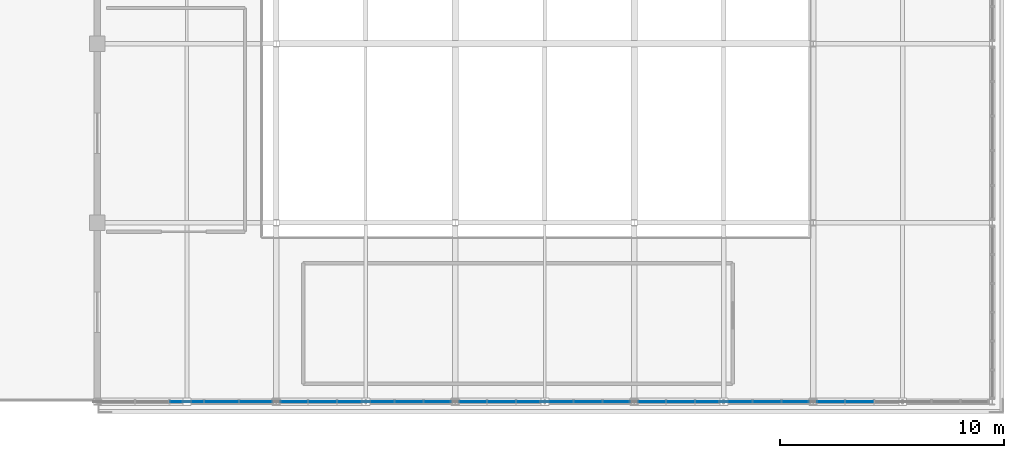
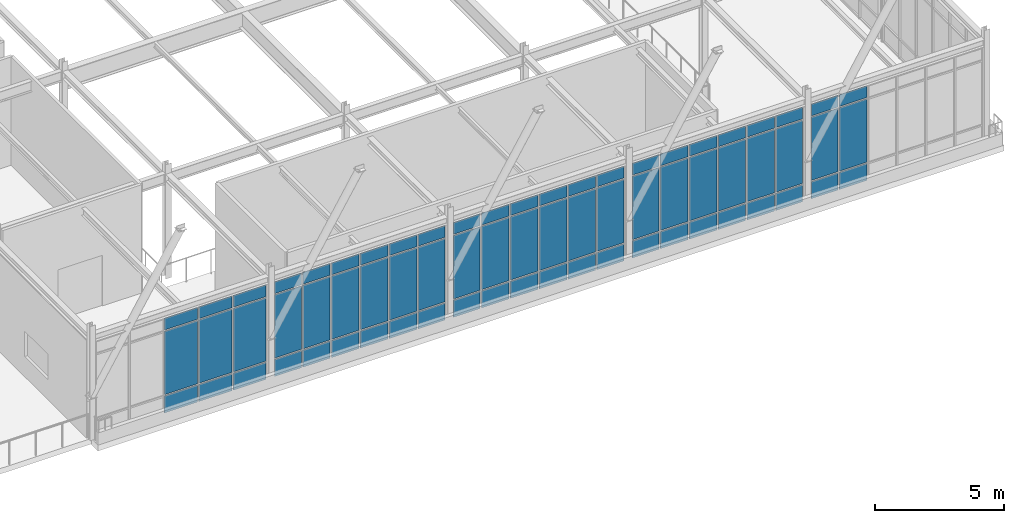
# One storey, part 68 of 108: 69 plates, 5 elements without a shape of their own.
"""IFC4 building model written with IfcOpenShell, lengths in metres."""

from ifc_helpers import new_model, si_unit, direction, frame, origin, origin_2d, place, context, subcontext, project, spatial, rectangle, extrude, material, layer, layer_set, type_object, element, aggregate, save


model = new_model("IFC4")

# Units and contexts
model_context = context("Model", 3, precision=1e-05, world=origin(), true_north=direction((0.0, 1.0)))
body_context = subcontext(model_context, "Body", "Model", "MODEL_VIEW")
ifc_project = project(units=[si_unit("LENGTHUNIT", "METRE"), si_unit("AREAUNIT", "SQUARE_METRE"), si_unit("VOLUMEUNIT", "CUBIC_METRE"), si_unit("PLANEANGLEUNIT", "RADIAN"), si_unit("MASSUNIT", "GRAM", prefix="KILO")], contexts=[model_context])

# Site, building, storey
site_placement = place(None, origin())
site = spatial("IfcSite", under=ifc_project, at=site_placement, CompositionType="ELEMENT")
building_placement = place(site_placement, origin())
building = spatial("IfcBuilding", under=site, at=building_placement, Name="Zhaolan Boulevard Law Courts", CompositionType="ELEMENT")
storey_placement = place(building_placement, frame((0.0, 0.0, 10.800048828125)))
storey = spatial("IfcBuildingStorey", under=building, at=storey_placement, Name="L02", CompositionType="ELEMENT", Elevation=10.800048828125)

# Curtain wall, plates
ifc_material_1 = material(Name="Thermally broken aluminium and low-E glazing", Category="aluminium")
curtain_wall_type_1 = type_object("IfcCurtainWallType", Name="CURTAIN WALL M10", PredefinedType="USERDEFINED", material=ifc_material_1)
curtain_wall_1_placement = place(storey_placement, origin())
curtain_wall_1 = element("IfcCurtainWall", 1, at=curtain_wall_1_placement, inside=storey, type_object=curtain_wall_type_1, Name="Curtain Wall CW-L02-082", ObjectType="CURTAIN WALL", PredefinedType="USERDEFINED")
ifc_material_2 = material(Name="Triple-silver low-E insulated glazing", Category="glass")
ifc_layer = layer(ifc_material_2, 0.028076171875)
ifc_layer_set = layer_set([ifc_layer])
plate_type = type_object("IfcPlateType", Name="CWPANEL LOW E28", PredefinedType="CURTAIN_PANEL", material=ifc_layer_set)
plate_1_placement = place(storey_placement, frame((128.0, 6.0, 0.06494140625), z_axis=(0.0, 0.0, 1.0), x_axis=(1.0, 0.0, 0.0)))
plate_1 = element("IfcPlate", 2, at=plate_1_placement, type_object=plate_type, Name="CW-L02-082 panel 3.1", PredefinedType="CURTAIN_PANEL", context=body_context, shape_type="SweptSolid", body=[
    extrude(rectangle(XDim=1.484130859375, YDim=0.028076171875, at=origin_2d()), origin(), (0.0, 0.0, 1.0), 0.802490234375),
])
plate_2_placement = place(storey_placement, frame((128.0, 6.0, 0.9326171875), z_axis=(0.0, 0.0, 1.0), x_axis=(1.0, 0.0, 0.0)))
plate_2 = element("IfcPlate", 3, at=plate_2_placement, type_object=plate_type, Name="CW-L02-082 panel 3.2", PredefinedType="CURTAIN_PANEL", context=body_context, shape_type="SweptSolid", body=[
    extrude(rectangle(XDim=1.484130859375, YDim=0.028076171875, at=origin_2d()), origin(), (0.0, 0.0, 1.0), 2.988037109375),
])
plate_3_placement = place(storey_placement, frame((128.0, 6.0, 3.9853515625), z_axis=(0.0, 0.0, 1.0), x_axis=(1.0, 0.0, 0.0)))
plate_3 = element("IfcPlate", 4, at=plate_3_placement, type_object=plate_type, Name="CW-L02-082 panel 3.3", PredefinedType="CURTAIN_PANEL", context=body_context, shape_type="SweptSolid", body=[
    extrude(rectangle(XDim=1.484130859375, YDim=0.028076171875, at=origin_2d()), origin(), (0.0, 0.0, 1.0), 0.552490234375),
])
plate_4_placement = place(storey_placement, frame((129.54931640625, 6.0, 0.06494140625), z_axis=(0.0, 0.0, 1.0), x_axis=(1.0, 0.0, 0.0)))
plate_4 = element("IfcPlate", 5, at=plate_4_placement, type_object=plate_type, Name="CW-L02-082 panel 4.1", PredefinedType="CURTAIN_PANEL", context=body_context, shape_type="SweptSolid", body=[
    extrude(rectangle(XDim=1.484130859375, YDim=0.028076171875, at=origin_2d()), origin(), (0.0, 0.0, 1.0), 0.802490234375),
])
plate_5_placement = place(storey_placement, frame((129.54931640625, 6.0, 0.9326171875), z_axis=(0.0, 0.0, 1.0), x_axis=(1.0, 0.0, 0.0)))
plate_5 = element("IfcPlate", 6, at=plate_5_placement, type_object=plate_type, Name="CW-L02-082 panel 4.2", PredefinedType="CURTAIN_PANEL", context=body_context, shape_type="SweptSolid", body=[
    extrude(rectangle(XDim=1.484130859375, YDim=0.028076171875, at=origin_2d()), origin(), (0.0, 0.0, 1.0), 2.988037109375),
])
plate_6_placement = place(storey_placement, frame((129.54931640625, 6.0, 3.9853515625), z_axis=(0.0, 0.0, 1.0), x_axis=(1.0, 0.0, 0.0)))
plate_6 = element("IfcPlate", 7, at=plate_6_placement, type_object=plate_type, Name="CW-L02-082 panel 4.3", PredefinedType="CURTAIN_PANEL", context=body_context, shape_type="SweptSolid", body=[
    extrude(rectangle(XDim=1.484130859375, YDim=0.028076171875, at=origin_2d()), origin(), (0.0, 0.0, 1.0), 0.552490234375),
])
plate_7_placement = place(storey_placement, frame((131.08203125, 6.0, 0.06494140625), z_axis=(0.0, 0.0, 1.0), x_axis=(1.0, 0.0, 0.0)))
plate_7 = element("IfcPlate", 8, at=plate_7_placement, type_object=plate_type, Name="CW-L02-082 panel 5.1", PredefinedType="CURTAIN_PANEL", context=body_context, shape_type="SweptSolid", body=[
    extrude(rectangle(XDim=1.45166015625, YDim=0.028076171875, at=origin_2d()), origin(), (0.0, 0.0, 1.0), 0.802490234375),
])
plate_8_placement = place(storey_placement, frame((131.08203125, 6.0, 0.9326171875), z_axis=(0.0, 0.0, 1.0), x_axis=(1.0, 0.0, 0.0)))
plate_8 = element("IfcPlate", 9, at=plate_8_placement, type_object=plate_type, Name="CW-L02-082 panel 5.2", PredefinedType="CURTAIN_PANEL", context=body_context, shape_type="SweptSolid", body=[
    extrude(rectangle(XDim=1.45166015625, YDim=0.028076171875, at=origin_2d()), origin(), (0.0, 0.0, 1.0), 2.988037109375),
])
plate_9_placement = place(storey_placement, frame((131.08203125, 6.0, 3.9853515625), z_axis=(0.0, 0.0, 1.0), x_axis=(1.0, 0.0, 0.0)))
plate_9 = element("IfcPlate", 10, at=plate_9_placement, type_object=plate_type, Name="CW-L02-082 panel 5.3", PredefinedType="CURTAIN_PANEL", context=body_context, shape_type="SweptSolid", body=[
    extrude(rectangle(XDim=1.45166015625, YDim=0.028076171875, at=origin_2d()), origin(), (0.0, 0.0, 1.0), 0.552490234375),
])
aggregate(curtain_wall_1, [plate_1, plate_2, plate_3, plate_4, plate_5, plate_6, plate_7, plate_8, plate_9])

ifc_material_3 = material(Name="Thermally broken aluminium and low-E glazing", Category="aluminium")
curtain_wall_type_2 = type_object("IfcCurtainWallType", Name="CURTAIN WALL M11", PredefinedType="USERDEFINED", material=ifc_material_3)
curtain_wall_2_placement = place(storey_placement, origin())
curtain_wall_2 = element("IfcCurtainWall", 11, at=curtain_wall_2_placement, inside=storey, type_object=curtain_wall_type_2, Name="Curtain Wall CW-L02-083", ObjectType="CURTAIN WALL", PredefinedType="USERDEFINED")
plate_10_placement = place(storey_placement, frame((132.788818359375, 6.0, 0.06494140625), z_axis=(0.0, 0.0, 1.0), x_axis=(1.0, 0.0, 0.0)))
plate_10 = element("IfcPlate", 12, at=plate_10_placement, type_object=plate_type, Name="CW-L02-083 panel 1.1", PredefinedType="CURTAIN_PANEL", context=body_context, shape_type="SweptSolid", body=[
    extrude(rectangle(XDim=1.193603515625, YDim=0.028076171875, at=origin_2d()), origin(), (0.0, 0.0, 1.0), 0.802490234375),
])
plate_11_placement = place(storey_placement, frame((132.788818359375, 6.0, 0.9326171875), z_axis=(0.0, 0.0, 1.0), x_axis=(1.0, 0.0, 0.0)))
plate_11 = element("IfcPlate", 13, at=plate_11_placement, type_object=plate_type, Name="CW-L02-083 panel 1.2", PredefinedType="CURTAIN_PANEL", context=body_context, shape_type="SweptSolid", body=[
    extrude(rectangle(XDim=1.193603515625, YDim=0.028076171875, at=origin_2d()), origin(), (0.0, 0.0, 1.0), 2.988037109375),
])
plate_12_placement = place(storey_placement, frame((132.788818359375, 6.0, 3.9853515625), z_axis=(0.0, 0.0, 1.0), x_axis=(1.0, 0.0, 0.0)))
plate_12 = element("IfcPlate", 14, at=plate_12_placement, type_object=plate_type, Name="CW-L02-083 panel 1.3", PredefinedType="CURTAIN_PANEL", context=body_context, shape_type="SweptSolid", body=[
    extrude(rectangle(XDim=1.193603515625, YDim=0.028076171875, at=origin_2d()), origin(), (0.0, 0.0, 1.0), 0.552490234375),
])
plate_13_placement = place(storey_placement, frame((134.0634765625, 6.0, 0.06494140625), z_axis=(0.0, 0.0, 1.0), x_axis=(1.0, 0.0, 0.0)))
plate_13 = element("IfcPlate", 15, at=plate_13_placement, type_object=plate_type, Name="CW-L02-083 panel 2.1", PredefinedType="CURTAIN_PANEL", context=body_context, shape_type="SweptSolid", body=[
    extrude(rectangle(XDim=1.22607421875, YDim=0.028076171875, at=origin_2d()), origin(), (0.0, 0.0, 1.0), 0.802490234375),
])
plate_14_placement = place(storey_placement, frame((134.0634765625, 6.0, 0.9326171875), z_axis=(0.0, 0.0, 1.0), x_axis=(1.0, 0.0, 0.0)))
plate_14 = element("IfcPlate", 16, at=plate_14_placement, type_object=plate_type, Name="CW-L02-083 panel 2.2", PredefinedType="CURTAIN_PANEL", context=body_context, shape_type="SweptSolid", body=[
    extrude(rectangle(XDim=1.22607421875, YDim=0.028076171875, at=origin_2d()), origin(), (0.0, 0.0, 1.0), 2.988037109375),
])
plate_15_placement = place(storey_placement, frame((134.0634765625, 6.0, 3.9853515625), z_axis=(0.0, 0.0, 1.0), x_axis=(1.0, 0.0, 0.0)))
plate_15 = element("IfcPlate", 17, at=plate_15_placement, type_object=plate_type, Name="CW-L02-083 panel 2.3", PredefinedType="CURTAIN_PANEL", context=body_context, shape_type="SweptSolid", body=[
    extrude(rectangle(XDim=1.22607421875, YDim=0.028076171875, at=origin_2d()), origin(), (0.0, 0.0, 1.0), 0.552490234375),
])
plate_16_placement = place(storey_placement, frame((135.3544921875, 6.0, 0.06494140625), z_axis=(0.0, 0.0, 1.0), x_axis=(1.0, 0.0, 0.0)))
plate_16 = element("IfcPlate", 18, at=plate_16_placement, type_object=plate_type, Name="CW-L02-083 panel 3.1", PredefinedType="CURTAIN_PANEL", context=body_context, shape_type="SweptSolid", body=[
    extrude(rectangle(XDim=1.22607421875, YDim=0.028076171875, at=origin_2d()), origin(), (0.0, 0.0, 1.0), 0.802490234375),
])
plate_17_placement = place(storey_placement, frame((135.3544921875, 6.0, 0.9326171875), z_axis=(0.0, 0.0, 1.0), x_axis=(1.0, 0.0, 0.0)))
plate_17 = element("IfcPlate", 19, at=plate_17_placement, type_object=plate_type, Name="CW-L02-083 panel 3.2", PredefinedType="CURTAIN_PANEL", context=body_context, shape_type="SweptSolid", body=[
    extrude(rectangle(XDim=1.22607421875, YDim=0.028076171875, at=origin_2d()), origin(), (0.0, 0.0, 1.0), 2.988037109375),
])
plate_18_placement = place(storey_placement, frame((135.3544921875, 6.0, 3.9853515625), z_axis=(0.0, 0.0, 1.0), x_axis=(1.0, 0.0, 0.0)))
plate_18 = element("IfcPlate", 20, at=plate_18_placement, type_object=plate_type, Name="CW-L02-083 panel 3.3", PredefinedType="CURTAIN_PANEL", context=body_context, shape_type="SweptSolid", body=[
    extrude(rectangle(XDim=1.22607421875, YDim=0.028076171875, at=origin_2d()), origin(), (0.0, 0.0, 1.0), 0.552490234375),
])
plate_19_placement = place(storey_placement, frame((136.6455078125, 6.0, 0.06494140625), z_axis=(0.0, 0.0, 1.0), x_axis=(1.0, 0.0, 0.0)))
plate_19 = element("IfcPlate", 21, at=plate_19_placement, type_object=plate_type, Name="CW-L02-083 panel 4.1", PredefinedType="CURTAIN_PANEL", context=body_context, shape_type="SweptSolid", body=[
    extrude(rectangle(XDim=1.22607421875, YDim=0.028076171875, at=origin_2d()), origin(), (0.0, 0.0, 1.0), 0.802490234375),
])
plate_20_placement = place(storey_placement, frame((136.6455078125, 6.0, 0.9326171875), z_axis=(0.0, 0.0, 1.0), x_axis=(1.0, 0.0, 0.0)))
plate_20 = element("IfcPlate", 22, at=plate_20_placement, type_object=plate_type, Name="CW-L02-083 panel 4.2", PredefinedType="CURTAIN_PANEL", context=body_context, shape_type="SweptSolid", body=[
    extrude(rectangle(XDim=1.22607421875, YDim=0.028076171875, at=origin_2d()), origin(), (0.0, 0.0, 1.0), 2.988037109375),
])
plate_21_placement = place(storey_placement, frame((136.6455078125, 6.0, 3.9853515625), z_axis=(0.0, 0.0, 1.0), x_axis=(1.0, 0.0, 0.0)))
plate_21 = element("IfcPlate", 23, at=plate_21_placement, type_object=plate_type, Name="CW-L02-083 panel 4.3", PredefinedType="CURTAIN_PANEL", context=body_context, shape_type="SweptSolid", body=[
    extrude(rectangle(XDim=1.22607421875, YDim=0.028076171875, at=origin_2d()), origin(), (0.0, 0.0, 1.0), 0.552490234375),
])
plate_22_placement = place(storey_placement, frame((137.9365234375, 6.0, 0.06494140625), z_axis=(0.0, 0.0, 1.0), x_axis=(1.0, 0.0, 0.0)))
plate_22 = element("IfcPlate", 24, at=plate_22_placement, type_object=plate_type, Name="CW-L02-083 panel 5.1", PredefinedType="CURTAIN_PANEL", context=body_context, shape_type="SweptSolid", body=[
    extrude(rectangle(XDim=1.22607421875, YDim=0.028076171875, at=origin_2d()), origin(), (0.0, 0.0, 1.0), 0.802490234375),
])
plate_23_placement = place(storey_placement, frame((137.9365234375, 6.0, 0.9326171875), z_axis=(0.0, 0.0, 1.0), x_axis=(1.0, 0.0, 0.0)))
plate_23 = element("IfcPlate", 25, at=plate_23_placement, type_object=plate_type, Name="CW-L02-083 panel 5.2", PredefinedType="CURTAIN_PANEL", context=body_context, shape_type="SweptSolid", body=[
    extrude(rectangle(XDim=1.22607421875, YDim=0.028076171875, at=origin_2d()), origin(), (0.0, 0.0, 1.0), 2.988037109375),
])
plate_24_placement = place(storey_placement, frame((137.9365234375, 6.0, 3.9853515625), z_axis=(0.0, 0.0, 1.0), x_axis=(1.0, 0.0, 0.0)))
plate_24 = element("IfcPlate", 26, at=plate_24_placement, type_object=plate_type, Name="CW-L02-083 panel 5.3", PredefinedType="CURTAIN_PANEL", context=body_context, shape_type="SweptSolid", body=[
    extrude(rectangle(XDim=1.22607421875, YDim=0.028076171875, at=origin_2d()), origin(), (0.0, 0.0, 1.0), 0.552490234375),
])
plate_25_placement = place(storey_placement, frame((139.211181640625, 6.0, 0.06494140625), z_axis=(0.0, 0.0, 1.0), x_axis=(1.0, 0.0, 0.0)))
plate_25 = element("IfcPlate", 27, at=plate_25_placement, type_object=plate_type, Name="CW-L02-083 panel 6.1", PredefinedType="CURTAIN_PANEL", context=body_context, shape_type="SweptSolid", body=[
    extrude(rectangle(XDim=1.193603515625, YDim=0.028076171875, at=origin_2d()), origin(), (0.0, 0.0, 1.0), 0.802490234375),
])
plate_26_placement = place(storey_placement, frame((139.211181640625, 6.0, 0.9326171875), z_axis=(0.0, 0.0, 1.0), x_axis=(1.0, 0.0, 0.0)))
plate_26 = element("IfcPlate", 28, at=plate_26_placement, type_object=plate_type, Name="CW-L02-083 panel 6.2", PredefinedType="CURTAIN_PANEL", context=body_context, shape_type="SweptSolid", body=[
    extrude(rectangle(XDim=1.193603515625, YDim=0.028076171875, at=origin_2d()), origin(), (0.0, 0.0, 1.0), 2.988037109375),
])
plate_27_placement = place(storey_placement, frame((139.211181640625, 6.0, 3.9853515625), z_axis=(0.0, 0.0, 1.0), x_axis=(1.0, 0.0, 0.0)))
plate_27 = element("IfcPlate", 29, at=plate_27_placement, type_object=plate_type, Name="CW-L02-083 panel 6.3", PredefinedType="CURTAIN_PANEL", context=body_context, shape_type="SweptSolid", body=[
    extrude(rectangle(XDim=1.193603515625, YDim=0.028076171875, at=origin_2d()), origin(), (0.0, 0.0, 1.0), 0.552490234375),
])
aggregate(curtain_wall_2, [plate_10, plate_11, plate_12, plate_13, plate_14, plate_15, plate_16, plate_17, plate_18, plate_19, plate_20, plate_21, plate_22, plate_23, plate_24, plate_25, plate_26, plate_27])

ifc_material_4 = material(Name="Thermally broken aluminium and low-E glazing", Category="aluminium")
curtain_wall_type_3 = type_object("IfcCurtainWallType", Name="CURTAIN WALL M12", PredefinedType="USERDEFINED", material=ifc_material_4)
curtain_wall_3_placement = place(storey_placement, origin())
curtain_wall_3 = element("IfcCurtainWall", 30, at=curtain_wall_3_placement, inside=storey, type_object=curtain_wall_type_3, Name="Curtain Wall CW-L02-084", ObjectType="CURTAIN WALL", PredefinedType="USERDEFINED")
plate_28_placement = place(storey_placement, frame((140.788818359375, 6.0, 0.06494140625), z_axis=(0.0, 0.0, 1.0), x_axis=(1.0, 0.0, 0.0)))
plate_28 = element("IfcPlate", 31, at=plate_28_placement, type_object=plate_type, Name="CW-L02-084 panel 1.1", PredefinedType="CURTAIN_PANEL", context=body_context, shape_type="SweptSolid", body=[
    extrude(rectangle(XDim=1.193603515625, YDim=0.028076171875, at=origin_2d()), origin(), (0.0, 0.0, 1.0), 0.802490234375),
])
plate_29_placement = place(storey_placement, frame((140.788818359375, 6.0, 0.9326171875), z_axis=(0.0, 0.0, 1.0), x_axis=(1.0, 0.0, 0.0)))
plate_29 = element("IfcPlate", 32, at=plate_29_placement, type_object=plate_type, Name="CW-L02-084 panel 1.2", PredefinedType="CURTAIN_PANEL", context=body_context, shape_type="SweptSolid", body=[
    extrude(rectangle(XDim=1.193603515625, YDim=0.028076171875, at=origin_2d()), origin(), (0.0, 0.0, 1.0), 2.988037109375),
])
plate_30_placement = place(storey_placement, frame((140.788818359375, 6.0, 3.9853515625), z_axis=(0.0, 0.0, 1.0), x_axis=(1.0, 0.0, 0.0)))
plate_30 = element("IfcPlate", 33, at=plate_30_placement, type_object=plate_type, Name="CW-L02-084 panel 1.3", PredefinedType="CURTAIN_PANEL", context=body_context, shape_type="SweptSolid", body=[
    extrude(rectangle(XDim=1.193603515625, YDim=0.028076171875, at=origin_2d()), origin(), (0.0, 0.0, 1.0), 0.552490234375),
])
plate_31_placement = place(storey_placement, frame((142.0634765625, 6.0, 0.06494140625), z_axis=(0.0, 0.0, 1.0), x_axis=(1.0, 0.0, 0.0)))
plate_31 = element("IfcPlate", 34, at=plate_31_placement, type_object=plate_type, Name="CW-L02-084 panel 2.1", PredefinedType="CURTAIN_PANEL", context=body_context, shape_type="SweptSolid", body=[
    extrude(rectangle(XDim=1.22607421875, YDim=0.028076171875, at=origin_2d()), origin(), (0.0, 0.0, 1.0), 0.802490234375),
])
plate_32_placement = place(storey_placement, frame((142.0634765625, 6.0, 0.9326171875), z_axis=(0.0, 0.0, 1.0), x_axis=(1.0, 0.0, 0.0)))
plate_32 = element("IfcPlate", 35, at=plate_32_placement, type_object=plate_type, Name="CW-L02-084 panel 2.2", PredefinedType="CURTAIN_PANEL", context=body_context, shape_type="SweptSolid", body=[
    extrude(rectangle(XDim=1.22607421875, YDim=0.028076171875, at=origin_2d()), origin(), (0.0, 0.0, 1.0), 2.988037109375),
])
plate_33_placement = place(storey_placement, frame((142.0634765625, 6.0, 3.9853515625), z_axis=(0.0, 0.0, 1.0), x_axis=(1.0, 0.0, 0.0)))
plate_33 = element("IfcPlate", 36, at=plate_33_placement, type_object=plate_type, Name="CW-L02-084 panel 2.3", PredefinedType="CURTAIN_PANEL", context=body_context, shape_type="SweptSolid", body=[
    extrude(rectangle(XDim=1.22607421875, YDim=0.028076171875, at=origin_2d()), origin(), (0.0, 0.0, 1.0), 0.552490234375),
])
plate_34_placement = place(storey_placement, frame((143.3544921875, 6.0, 0.06494140625), z_axis=(0.0, 0.0, 1.0), x_axis=(1.0, 0.0, 0.0)))
plate_34 = element("IfcPlate", 37, at=plate_34_placement, type_object=plate_type, Name="CW-L02-084 panel 3.1", PredefinedType="CURTAIN_PANEL", context=body_context, shape_type="SweptSolid", body=[
    extrude(rectangle(XDim=1.22607421875, YDim=0.028076171875, at=origin_2d()), origin(), (0.0, 0.0, 1.0), 0.802490234375),
])
plate_35_placement = place(storey_placement, frame((143.3544921875, 6.0, 0.9326171875), z_axis=(0.0, 0.0, 1.0), x_axis=(1.0, 0.0, 0.0)))
plate_35 = element("IfcPlate", 38, at=plate_35_placement, type_object=plate_type, Name="CW-L02-084 panel 3.2", PredefinedType="CURTAIN_PANEL", context=body_context, shape_type="SweptSolid", body=[
    extrude(rectangle(XDim=1.22607421875, YDim=0.028076171875, at=origin_2d()), origin(), (0.0, 0.0, 1.0), 2.988037109375),
])
plate_36_placement = place(storey_placement, frame((143.3544921875, 6.0, 3.9853515625), z_axis=(0.0, 0.0, 1.0), x_axis=(1.0, 0.0, 0.0)))
plate_36 = element("IfcPlate", 39, at=plate_36_placement, type_object=plate_type, Name="CW-L02-084 panel 3.3", PredefinedType="CURTAIN_PANEL", context=body_context, shape_type="SweptSolid", body=[
    extrude(rectangle(XDim=1.22607421875, YDim=0.028076171875, at=origin_2d()), origin(), (0.0, 0.0, 1.0), 0.552490234375),
])
plate_37_placement = place(storey_placement, frame((144.6455078125, 6.0, 0.06494140625), z_axis=(0.0, 0.0, 1.0), x_axis=(1.0, 0.0, 0.0)))
plate_37 = element("IfcPlate", 40, at=plate_37_placement, type_object=plate_type, Name="CW-L02-084 panel 4.1", PredefinedType="CURTAIN_PANEL", context=body_context, shape_type="SweptSolid", body=[
    extrude(rectangle(XDim=1.22607421875, YDim=0.028076171875, at=origin_2d()), origin(), (0.0, 0.0, 1.0), 0.802490234375),
])
plate_38_placement = place(storey_placement, frame((144.6455078125, 6.0, 0.9326171875), z_axis=(0.0, 0.0, 1.0), x_axis=(1.0, 0.0, 0.0)))
plate_38 = element("IfcPlate", 41, at=plate_38_placement, type_object=plate_type, Name="CW-L02-084 panel 4.2", PredefinedType="CURTAIN_PANEL", context=body_context, shape_type="SweptSolid", body=[
    extrude(rectangle(XDim=1.22607421875, YDim=0.028076171875, at=origin_2d()), origin(), (0.0, 0.0, 1.0), 2.988037109375),
])
plate_39_placement = place(storey_placement, frame((144.6455078125, 6.0, 3.9853515625), z_axis=(0.0, 0.0, 1.0), x_axis=(1.0, 0.0, 0.0)))
plate_39 = element("IfcPlate", 42, at=plate_39_placement, type_object=plate_type, Name="CW-L02-084 panel 4.3", PredefinedType="CURTAIN_PANEL", context=body_context, shape_type="SweptSolid", body=[
    extrude(rectangle(XDim=1.22607421875, YDim=0.028076171875, at=origin_2d()), origin(), (0.0, 0.0, 1.0), 0.552490234375),
])
plate_40_placement = place(storey_placement, frame((145.9365234375, 6.0, 0.06494140625), z_axis=(0.0, 0.0, 1.0), x_axis=(1.0, 0.0, 0.0)))
plate_40 = element("IfcPlate", 43, at=plate_40_placement, type_object=plate_type, Name="CW-L02-084 panel 5.1", PredefinedType="CURTAIN_PANEL", context=body_context, shape_type="SweptSolid", body=[
    extrude(rectangle(XDim=1.22607421875, YDim=0.028076171875, at=origin_2d()), origin(), (0.0, 0.0, 1.0), 0.802490234375),
])
plate_41_placement = place(storey_placement, frame((145.9365234375, 6.0, 0.9326171875), z_axis=(0.0, 0.0, 1.0), x_axis=(1.0, 0.0, 0.0)))
plate_41 = element("IfcPlate", 44, at=plate_41_placement, type_object=plate_type, Name="CW-L02-084 panel 5.2", PredefinedType="CURTAIN_PANEL", context=body_context, shape_type="SweptSolid", body=[
    extrude(rectangle(XDim=1.22607421875, YDim=0.028076171875, at=origin_2d()), origin(), (0.0, 0.0, 1.0), 2.988037109375),
])
plate_42_placement = place(storey_placement, frame((145.9365234375, 6.0, 3.9853515625), z_axis=(0.0, 0.0, 1.0), x_axis=(1.0, 0.0, 0.0)))
plate_42 = element("IfcPlate", 45, at=plate_42_placement, type_object=plate_type, Name="CW-L02-084 panel 5.3", PredefinedType="CURTAIN_PANEL", context=body_context, shape_type="SweptSolid", body=[
    extrude(rectangle(XDim=1.22607421875, YDim=0.028076171875, at=origin_2d()), origin(), (0.0, 0.0, 1.0), 0.552490234375),
])
plate_43_placement = place(storey_placement, frame((147.211181640625, 6.0, 0.06494140625), z_axis=(0.0, 0.0, 1.0), x_axis=(1.0, 0.0, 0.0)))
plate_43 = element("IfcPlate", 46, at=plate_43_placement, type_object=plate_type, Name="CW-L02-084 panel 6.1", PredefinedType="CURTAIN_PANEL", context=body_context, shape_type="SweptSolid", body=[
    extrude(rectangle(XDim=1.193603515625, YDim=0.028076171875, at=origin_2d()), origin(), (0.0, 0.0, 1.0), 0.802490234375),
])
plate_44_placement = place(storey_placement, frame((147.211181640625, 6.0, 0.9326171875), z_axis=(0.0, 0.0, 1.0), x_axis=(1.0, 0.0, 0.0)))
plate_44 = element("IfcPlate", 47, at=plate_44_placement, type_object=plate_type, Name="CW-L02-084 panel 6.2", PredefinedType="CURTAIN_PANEL", context=body_context, shape_type="SweptSolid", body=[
    extrude(rectangle(XDim=1.193603515625, YDim=0.028076171875, at=origin_2d()), origin(), (0.0, 0.0, 1.0), 2.988037109375),
])
plate_45_placement = place(storey_placement, frame((147.211181640625, 6.0, 3.9853515625), z_axis=(0.0, 0.0, 1.0), x_axis=(1.0, 0.0, 0.0)))
plate_45 = element("IfcPlate", 48, at=plate_45_placement, type_object=plate_type, Name="CW-L02-084 panel 6.3", PredefinedType="CURTAIN_PANEL", context=body_context, shape_type="SweptSolid", body=[
    extrude(rectangle(XDim=1.193603515625, YDim=0.028076171875, at=origin_2d()), origin(), (0.0, 0.0, 1.0), 0.552490234375),
])
aggregate(curtain_wall_3, [plate_28, plate_29, plate_30, plate_31, plate_32, plate_33, plate_34, plate_35, plate_36, plate_37, plate_38, plate_39, plate_40, plate_41, plate_42, plate_43, plate_44, plate_45])

ifc_material_5 = material(Name="Thermally broken aluminium and low-E glazing", Category="aluminium")
curtain_wall_type_4 = type_object("IfcCurtainWallType", Name="CURTAIN WALL M13", PredefinedType="USERDEFINED", material=ifc_material_5)
curtain_wall_4_placement = place(storey_placement, origin())
curtain_wall_4 = element("IfcCurtainWall", 49, at=curtain_wall_4_placement, inside=storey, type_object=curtain_wall_type_4, Name="Curtain Wall CW-L02-085", ObjectType="CURTAIN WALL", PredefinedType="USERDEFINED")
plate_46_placement = place(storey_placement, frame((148.788818359375, 6.0, 0.06494140625), z_axis=(0.0, 0.0, 1.0), x_axis=(1.0, 0.0, 0.0)))
plate_46 = element("IfcPlate", 50, at=plate_46_placement, type_object=plate_type, Name="CW-L02-085 panel 1.1", PredefinedType="CURTAIN_PANEL", context=body_context, shape_type="SweptSolid", body=[
    extrude(rectangle(XDim=1.193603515625, YDim=0.028076171875, at=origin_2d()), origin(), (0.0, 0.0, 1.0), 0.802490234375),
])
plate_47_placement = place(storey_placement, frame((148.788818359375, 6.0, 0.9326171875), z_axis=(0.0, 0.0, 1.0), x_axis=(1.0, 0.0, 0.0)))
plate_47 = element("IfcPlate", 51, at=plate_47_placement, type_object=plate_type, Name="CW-L02-085 panel 1.2", PredefinedType="CURTAIN_PANEL", context=body_context, shape_type="SweptSolid", body=[
    extrude(rectangle(XDim=1.193603515625, YDim=0.028076171875, at=origin_2d()), origin(), (0.0, 0.0, 1.0), 2.988037109375),
])
plate_48_placement = place(storey_placement, frame((148.788818359375, 6.0, 3.9853515625), z_axis=(0.0, 0.0, 1.0), x_axis=(1.0, 0.0, 0.0)))
plate_48 = element("IfcPlate", 52, at=plate_48_placement, type_object=plate_type, Name="CW-L02-085 panel 1.3", PredefinedType="CURTAIN_PANEL", context=body_context, shape_type="SweptSolid", body=[
    extrude(rectangle(XDim=1.193603515625, YDim=0.028076171875, at=origin_2d()), origin(), (0.0, 0.0, 1.0), 0.552490234375),
])
plate_49_placement = place(storey_placement, frame((150.0634765625, 6.0, 0.06494140625), z_axis=(0.0, 0.0, 1.0), x_axis=(1.0, 0.0, 0.0)))
plate_49 = element("IfcPlate", 53, at=plate_49_placement, type_object=plate_type, Name="CW-L02-085 panel 2.1", PredefinedType="CURTAIN_PANEL", context=body_context, shape_type="SweptSolid", body=[
    extrude(rectangle(XDim=1.22607421875, YDim=0.028076171875, at=origin_2d()), origin(), (0.0, 0.0, 1.0), 0.802490234375),
])
plate_50_placement = place(storey_placement, frame((150.0634765625, 6.0, 0.9326171875), z_axis=(0.0, 0.0, 1.0), x_axis=(1.0, 0.0, 0.0)))
plate_50 = element("IfcPlate", 54, at=plate_50_placement, type_object=plate_type, Name="CW-L02-085 panel 2.2", PredefinedType="CURTAIN_PANEL", context=body_context, shape_type="SweptSolid", body=[
    extrude(rectangle(XDim=1.22607421875, YDim=0.028076171875, at=origin_2d()), origin(), (0.0, 0.0, 1.0), 2.988037109375),
])
plate_51_placement = place(storey_placement, frame((150.0634765625, 6.0, 3.9853515625), z_axis=(0.0, 0.0, 1.0), x_axis=(1.0, 0.0, 0.0)))
plate_51 = element("IfcPlate", 55, at=plate_51_placement, type_object=plate_type, Name="CW-L02-085 panel 2.3", PredefinedType="CURTAIN_PANEL", context=body_context, shape_type="SweptSolid", body=[
    extrude(rectangle(XDim=1.22607421875, YDim=0.028076171875, at=origin_2d()), origin(), (0.0, 0.0, 1.0), 0.552490234375),
])
plate_52_placement = place(storey_placement, frame((151.3544921875, 6.0, 0.06494140625), z_axis=(0.0, 0.0, 1.0), x_axis=(1.0, 0.0, 0.0)))
plate_52 = element("IfcPlate", 56, at=plate_52_placement, type_object=plate_type, Name="CW-L02-085 panel 3.1", PredefinedType="CURTAIN_PANEL", context=body_context, shape_type="SweptSolid", body=[
    extrude(rectangle(XDim=1.22607421875, YDim=0.028076171875, at=origin_2d()), origin(), (0.0, 0.0, 1.0), 0.802490234375),
])
plate_53_placement = place(storey_placement, frame((151.3544921875, 6.0, 0.9326171875), z_axis=(0.0, 0.0, 1.0), x_axis=(1.0, 0.0, 0.0)))
plate_53 = element("IfcPlate", 57, at=plate_53_placement, type_object=plate_type, Name="CW-L02-085 panel 3.2", PredefinedType="CURTAIN_PANEL", context=body_context, shape_type="SweptSolid", body=[
    extrude(rectangle(XDim=1.22607421875, YDim=0.028076171875, at=origin_2d()), origin(), (0.0, 0.0, 1.0), 2.988037109375),
])
plate_54_placement = place(storey_placement, frame((151.3544921875, 6.0, 3.9853515625), z_axis=(0.0, 0.0, 1.0), x_axis=(1.0, 0.0, 0.0)))
plate_54 = element("IfcPlate", 58, at=plate_54_placement, type_object=plate_type, Name="CW-L02-085 panel 3.3", PredefinedType="CURTAIN_PANEL", context=body_context, shape_type="SweptSolid", body=[
    extrude(rectangle(XDim=1.22607421875, YDim=0.028076171875, at=origin_2d()), origin(), (0.0, 0.0, 1.0), 0.552490234375),
])
plate_55_placement = place(storey_placement, frame((152.6455078125, 6.0, 0.06494140625), z_axis=(0.0, 0.0, 1.0), x_axis=(1.0, 0.0, 0.0)))
plate_55 = element("IfcPlate", 59, at=plate_55_placement, type_object=plate_type, Name="CW-L02-085 panel 4.1", PredefinedType="CURTAIN_PANEL", context=body_context, shape_type="SweptSolid", body=[
    extrude(rectangle(XDim=1.22607421875, YDim=0.028076171875, at=origin_2d()), origin(), (0.0, 0.0, 1.0), 0.802490234375),
])
plate_56_placement = place(storey_placement, frame((152.6455078125, 6.0, 0.9326171875), z_axis=(0.0, 0.0, 1.0), x_axis=(1.0, 0.0, 0.0)))
plate_56 = element("IfcPlate", 60, at=plate_56_placement, type_object=plate_type, Name="CW-L02-085 panel 4.2", PredefinedType="CURTAIN_PANEL", context=body_context, shape_type="SweptSolid", body=[
    extrude(rectangle(XDim=1.22607421875, YDim=0.028076171875, at=origin_2d()), origin(), (0.0, 0.0, 1.0), 2.988037109375),
])
plate_57_placement = place(storey_placement, frame((152.6455078125, 6.0, 3.9853515625), z_axis=(0.0, 0.0, 1.0), x_axis=(1.0, 0.0, 0.0)))
plate_57 = element("IfcPlate", 61, at=plate_57_placement, type_object=plate_type, Name="CW-L02-085 panel 4.3", PredefinedType="CURTAIN_PANEL", context=body_context, shape_type="SweptSolid", body=[
    extrude(rectangle(XDim=1.22607421875, YDim=0.028076171875, at=origin_2d()), origin(), (0.0, 0.0, 1.0), 0.552490234375),
])
plate_58_placement = place(storey_placement, frame((153.9365234375, 6.0, 0.06494140625), z_axis=(0.0, 0.0, 1.0), x_axis=(1.0, 0.0, 0.0)))
plate_58 = element("IfcPlate", 62, at=plate_58_placement, type_object=plate_type, Name="CW-L02-085 panel 5.1", PredefinedType="CURTAIN_PANEL", context=body_context, shape_type="SweptSolid", body=[
    extrude(rectangle(XDim=1.22607421875, YDim=0.028076171875, at=origin_2d()), origin(), (0.0, 0.0, 1.0), 0.802490234375),
])
plate_59_placement = place(storey_placement, frame((153.9365234375, 6.0, 0.9326171875), z_axis=(0.0, 0.0, 1.0), x_axis=(1.0, 0.0, 0.0)))
plate_59 = element("IfcPlate", 63, at=plate_59_placement, type_object=plate_type, Name="CW-L02-085 panel 5.2", PredefinedType="CURTAIN_PANEL", context=body_context, shape_type="SweptSolid", body=[
    extrude(rectangle(XDim=1.22607421875, YDim=0.028076171875, at=origin_2d()), origin(), (0.0, 0.0, 1.0), 2.988037109375),
])
plate_60_placement = place(storey_placement, frame((153.9365234375, 6.0, 3.9853515625), z_axis=(0.0, 0.0, 1.0), x_axis=(1.0, 0.0, 0.0)))
plate_60 = element("IfcPlate", 64, at=plate_60_placement, type_object=plate_type, Name="CW-L02-085 panel 5.3", PredefinedType="CURTAIN_PANEL", context=body_context, shape_type="SweptSolid", body=[
    extrude(rectangle(XDim=1.22607421875, YDim=0.028076171875, at=origin_2d()), origin(), (0.0, 0.0, 1.0), 0.552490234375),
])
plate_61_placement = place(storey_placement, frame((155.211181640625, 6.0, 0.06494140625), z_axis=(0.0, 0.0, 1.0), x_axis=(1.0, 0.0, 0.0)))
plate_61 = element("IfcPlate", 65, at=plate_61_placement, type_object=plate_type, Name="CW-L02-085 panel 6.1", PredefinedType="CURTAIN_PANEL", context=body_context, shape_type="SweptSolid", body=[
    extrude(rectangle(XDim=1.193603515625, YDim=0.028076171875, at=origin_2d()), origin(), (0.0, 0.0, 1.0), 0.802490234375),
])
plate_62_placement = place(storey_placement, frame((155.211181640625, 6.0, 0.9326171875), z_axis=(0.0, 0.0, 1.0), x_axis=(1.0, 0.0, 0.0)))
plate_62 = element("IfcPlate", 66, at=plate_62_placement, type_object=plate_type, Name="CW-L02-085 panel 6.2", PredefinedType="CURTAIN_PANEL", context=body_context, shape_type="SweptSolid", body=[
    extrude(rectangle(XDim=1.193603515625, YDim=0.028076171875, at=origin_2d()), origin(), (0.0, 0.0, 1.0), 2.988037109375),
])
plate_63_placement = place(storey_placement, frame((155.211181640625, 6.0, 3.9853515625), z_axis=(0.0, 0.0, 1.0), x_axis=(1.0, 0.0, 0.0)))
plate_63 = element("IfcPlate", 67, at=plate_63_placement, type_object=plate_type, Name="CW-L02-085 panel 6.3", PredefinedType="CURTAIN_PANEL", context=body_context, shape_type="SweptSolid", body=[
    extrude(rectangle(XDim=1.193603515625, YDim=0.028076171875, at=origin_2d()), origin(), (0.0, 0.0, 1.0), 0.552490234375),
])
aggregate(curtain_wall_4, [plate_46, plate_47, plate_48, plate_49, plate_50, plate_51, plate_52, plate_53, plate_54, plate_55, plate_56, plate_57, plate_58, plate_59, plate_60, plate_61, plate_62, plate_63])

ifc_material_6 = material(Name="Thermally broken aluminium and low-E glazing", Category="aluminium")
curtain_wall_type_5 = type_object("IfcCurtainWallType", Name="CURTAIN WALL M14", PredefinedType="USERDEFINED", material=ifc_material_6)
curtain_wall_5_placement = place(storey_placement, origin())
curtain_wall_5 = element("IfcCurtainWall", 68, at=curtain_wall_5_placement, inside=storey, type_object=curtain_wall_type_5, Name="Curtain Wall CW-L02-086", ObjectType="CURTAIN WALL", PredefinedType="USERDEFINED")
plate_64_placement = place(storey_placement, frame((156.788818359375, 6.0, 0.06494140625), z_axis=(0.0, 0.0, 1.0), x_axis=(1.0, 0.0, 0.0)))
plate_64 = element("IfcPlate", 69, at=plate_64_placement, type_object=plate_type, Name="CW-L02-086 panel 1.1", PredefinedType="CURTAIN_PANEL", context=body_context, shape_type="SweptSolid", body=[
    extrude(rectangle(XDim=1.193603515625, YDim=0.028076171875, at=origin_2d()), origin(), (0.0, 0.0, 1.0), 0.802490234375),
])
plate_65_placement = place(storey_placement, frame((156.788818359375, 6.0, 0.9326171875), z_axis=(0.0, 0.0, 1.0), x_axis=(1.0, 0.0, 0.0)))
plate_65 = element("IfcPlate", 70, at=plate_65_placement, type_object=plate_type, Name="CW-L02-086 panel 1.2", PredefinedType="CURTAIN_PANEL", context=body_context, shape_type="SweptSolid", body=[
    extrude(rectangle(XDim=1.193603515625, YDim=0.028076171875, at=origin_2d()), origin(), (0.0, 0.0, 1.0), 2.988037109375),
])
plate_66_placement = place(storey_placement, frame((156.788818359375, 6.0, 3.9853515625), z_axis=(0.0, 0.0, 1.0), x_axis=(1.0, 0.0, 0.0)))
plate_66 = element("IfcPlate", 71, at=plate_66_placement, type_object=plate_type, Name="CW-L02-086 panel 1.3", PredefinedType="CURTAIN_PANEL", context=body_context, shape_type="SweptSolid", body=[
    extrude(rectangle(XDim=1.193603515625, YDim=0.028076171875, at=origin_2d()), origin(), (0.0, 0.0, 1.0), 0.552490234375),
])
plate_67_placement = place(storey_placement, frame((158.0634765625, 6.0, 0.06494140625), z_axis=(0.0, 0.0, 1.0), x_axis=(1.0, 0.0, 0.0)))
plate_67 = element("IfcPlate", 72, at=plate_67_placement, type_object=plate_type, Name="CW-L02-086 panel 2.1", PredefinedType="CURTAIN_PANEL", context=body_context, shape_type="SweptSolid", body=[
    extrude(rectangle(XDim=1.22607421875, YDim=0.028076171875, at=origin_2d()), origin(), (0.0, 0.0, 1.0), 0.802490234375),
])
plate_68_placement = place(storey_placement, frame((158.0634765625, 6.0, 0.9326171875), z_axis=(0.0, 0.0, 1.0), x_axis=(1.0, 0.0, 0.0)))
plate_68 = element("IfcPlate", 73, at=plate_68_placement, type_object=plate_type, Name="CW-L02-086 panel 2.2", PredefinedType="CURTAIN_PANEL", context=body_context, shape_type="SweptSolid", body=[
    extrude(rectangle(XDim=1.22607421875, YDim=0.028076171875, at=origin_2d()), origin(), (0.0, 0.0, 1.0), 2.988037109375),
])
plate_69_placement = place(storey_placement, frame((158.0634765625, 6.0, 3.9853515625), z_axis=(0.0, 0.0, 1.0), x_axis=(1.0, 0.0, 0.0)))
plate_69 = element("IfcPlate", 74, at=plate_69_placement, type_object=plate_type, Name="CW-L02-086 panel 2.3", PredefinedType="CURTAIN_PANEL", context=body_context, shape_type="SweptSolid", body=[
    extrude(rectangle(XDim=1.22607421875, YDim=0.028076171875, at=origin_2d()), origin(), (0.0, 0.0, 1.0), 0.552490234375),
])
aggregate(curtain_wall_5, [plate_64, plate_65, plate_66, plate_67, plate_68, plate_69])

save(model, "model.ifc")
